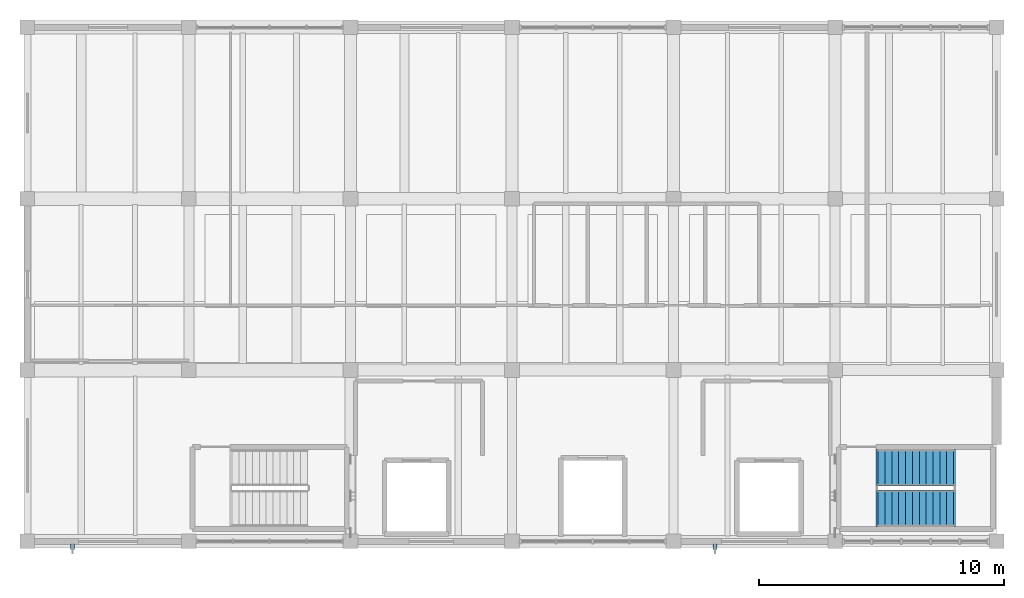
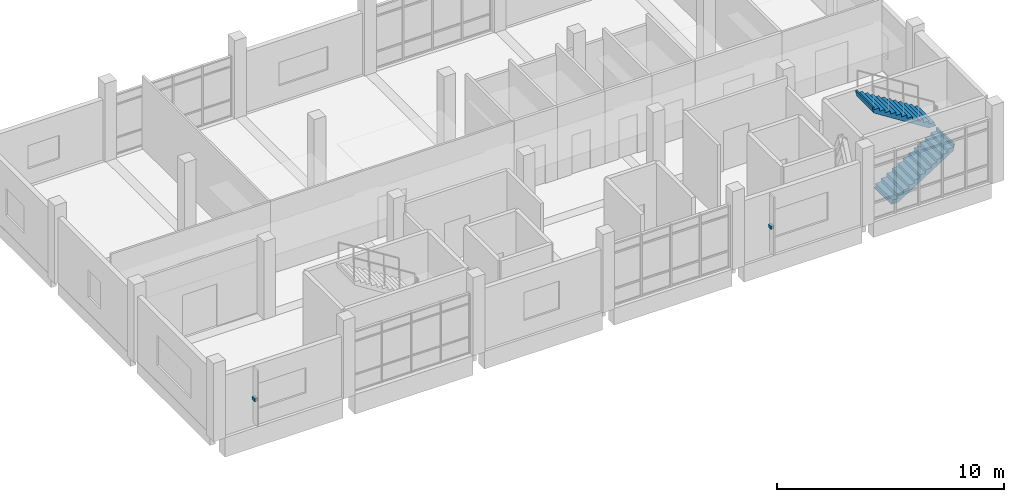
# One storey, part 11 of 14: 2 discrete accessories, 2 stair flights, 1 element without a shape of its own.
"""IFC4 building model written with IfcOpenShell, lengths in metres."""

from ifc_helpers import new_model, si_unit, direction, frame, origin, origin_2d, place, context, subcontext, project, spatial, polyline, rectangle, outline, extrude, material, type_object, element, aggregate, save


model = new_model("IFC4")

# Units and contexts
model_context = context("Model", 3, precision=1e-05, world=origin(), true_north=direction((0.0, 1.0)))
body_context = subcontext(model_context, "Body", "Model", "MODEL_VIEW")
ifc_project = project(units=[si_unit("LENGTHUNIT", "METRE"), si_unit("AREAUNIT", "SQUARE_METRE"), si_unit("VOLUMEUNIT", "CUBIC_METRE"), si_unit("PLANEANGLEUNIT", "RADIAN"), si_unit("MASSUNIT", "GRAM", prefix="KILO")], contexts=[model_context])

# Site, building, storey
site_placement = place(None, origin())
site = spatial("IfcSite", under=ifc_project, at=site_placement, CompositionType="ELEMENT")
building_placement = place(site_placement, origin())
building = spatial("IfcBuilding", under=site, at=building_placement, Name="Ciguamira Faculty of Natural Sciences", CompositionType="ELEMENT")
storey_placement = place(building_placement, frame((0.0, 0.0, 33.60009765625)))
storey = spatial("IfcBuildingStorey", under=building, at=storey_placement, Name="L08", CompositionType="ELEMENT", Elevation=33.60009765625)

# Stair, stair flights
ifc_material_1 = material(Name="Concrete C40/50", Category="concrete")
stair_type = type_object("IfcStairType", Name="Stair_STR-02", PredefinedType="HALF_TURN_STAIR", material=ifc_material_1)
stair_placement = place(storey_placement, origin())
stair = element("IfcStair", 1, at=stair_placement, inside=storey, type_object=stair_type, Name="L08 Tower East Exit Stair", PredefinedType="HALF_TURN_STAIR")
ifc_material_2 = material(Name="Precast concrete C40/50", Category="concrete")
stair_flight_type = type_object("IfcStairFlightType", Name="StairFlight_SFL-02", PredefinedType="STRAIGHT", material=ifc_material_2)
stair_flight_1_placement = place(storey_placement, frame((98.659912109375, 95.35009765625, 0.0), z_axis=(0.0, 0.0, 1.0), x_axis=(1.0, 0.0, 0.0)))
stair_flight_1 = element("IfcStairFlight", 2, at=stair_flight_1_placement, type_object=stair_flight_type, Name="ST-T2 flight 1", NumberOfRisers=12, NumberOfTreads=11, PredefinedType="STRAIGHT", RiserHeight=0.175, TreadLength=0.28, context=body_context, shape_type="SweptSolid", body=[
    extrude(outline(polyline([(-0.080078125, -0.034912109375), (-0.080078125, 0.0), (0.0, 0.0), (0.0, 0.175048828125), (0.280029296875, 0.175048828125), (0.280029296875, 0.35009765625), (0.56005859375, 0.35009765625), (0.56005859375, 0.52490234375), (0.840087890625, 0.52490234375), (0.840087890625, 0.699951171875), (1.1201171875, 0.699951171875), (1.1201171875, 0.875), (1.39990234375, 0.875), (1.39990234375, 1.050048828125), (1.679931640625, 1.050048828125), (1.679931640625, 1.22509765625), (1.9599609375, 1.22509765625), (1.9599609375, 1.39990234375), (2.239990234375, 1.39990234375), (2.239990234375, 1.574951171875), (2.52001953125, 1.574951171875), (2.52001953125, 1.75), (2.800048828125, 1.75), (2.800048828125, 1.925048828125), (3.080078125, 1.925048828125), (3.080078125, 2.10009765625), (3.16015625, 2.10009765625), (3.16015625, 2.065185546875), (3.080078125, 1.748291015625), (0.28271484375, -0.034912109375), (-0.080078125, -0.034912109375)])), frame((0.0, 0.75, 0.0), z_axis=(0.0, -1.0, 0.0), x_axis=(1.0, 0.0, 0.0)), (0.0, 0.0, 1.0), 1.5),
])
stair_flight_2_placement = place(storey_placement, frame((101.739990234375, 97.010009765625, 2.099853515625), z_axis=(0.0, 0.0, 1.0), x_axis=(-1.0, 0.0, 0.0)))
stair_flight_2 = element("IfcStairFlight", 3, at=stair_flight_2_placement, type_object=stair_flight_type, Name="ST-T2 flight 2", NumberOfRisers=12, NumberOfTreads=11, PredefinedType="STRAIGHT", RiserHeight=0.175, TreadLength=0.28, context=body_context, shape_type="SweptSolid", body=[
    extrude(outline(polyline([(-0.080078125, -0.034912109375), (-0.080078125, 0.0), (0.0, 0.0), (0.0, 0.175048828125), (0.280029296875, 0.175048828125), (0.280029296875, 0.35009765625), (0.56005859375, 0.35009765625), (0.56005859375, 0.52490234375), (0.840087890625, 0.52490234375), (0.840087890625, 0.699951171875), (1.1201171875, 0.699951171875), (1.1201171875, 0.875), (1.39990234375, 0.875), (1.39990234375, 1.050048828125), (1.679931640625, 1.050048828125), (1.679931640625, 1.22509765625), (1.9599609375, 1.22509765625), (1.9599609375, 1.39990234375), (2.239990234375, 1.39990234375), (2.239990234375, 1.574951171875), (2.52001953125, 1.574951171875), (2.52001953125, 1.75), (2.800048828125, 1.75), (2.800048828125, 1.925048828125), (3.080078125, 1.925048828125), (3.080078125, 2.10009765625), (3.16015625, 2.10009765625), (3.16015625, 2.065185546875), (3.080078125, 1.748291015625), (0.28271484375, -0.034912109375), (-0.080078125, -0.034912109375)])), frame((0.0, 0.75, 0.0), z_axis=(0.0, -1.0, 0.0), x_axis=(1.0, 0.0, 0.0)), (0.0, 0.0, 1.0), 1.5),
])
aggregate(stair, [stair_flight_1, stair_flight_2])

# Discrete accessories
ifc_material_3 = material(Name="Stainless steel fixing bracket", Category="steel")
discrete_accessory_type = type_object("IfcDiscreteAccessoryType", Name="FacadeBracket_BK01", PredefinedType="BRACKET", material=ifc_material_3)
for number, where, z_axis, x_axis, name in (
    (4, (65.75, 93.780029296875, 1.44482421875), (0.0, 0.0, 1.0), (1.0, 0.0, 0.0), "L08 sunshade fixing bracket 0035"),
    (5, (92.0, 93.780029296875, 1.52001953125), (0.0, 0.0, 1.0), (1.0, 0.0, 0.0), "L08 sunshade fixing bracket 0036"),
):
    element("IfcDiscreteAccessory", number, at=place(storey_placement, frame(where, z_axis=z_axis, x_axis=x_axis)), inside=storey, type_object=discrete_accessory_type, Name=name, PredefinedType="BRACKET", context=body_context, shape_type="SweptSolid", body=[
        extrude(rectangle(XDim=0.159912109375, YDim=0.239990234375, at=origin_2d()), origin(), (0.0, 0.0, 1.0), 0.159912109375),
    ])

save(model, "model.ifc")
